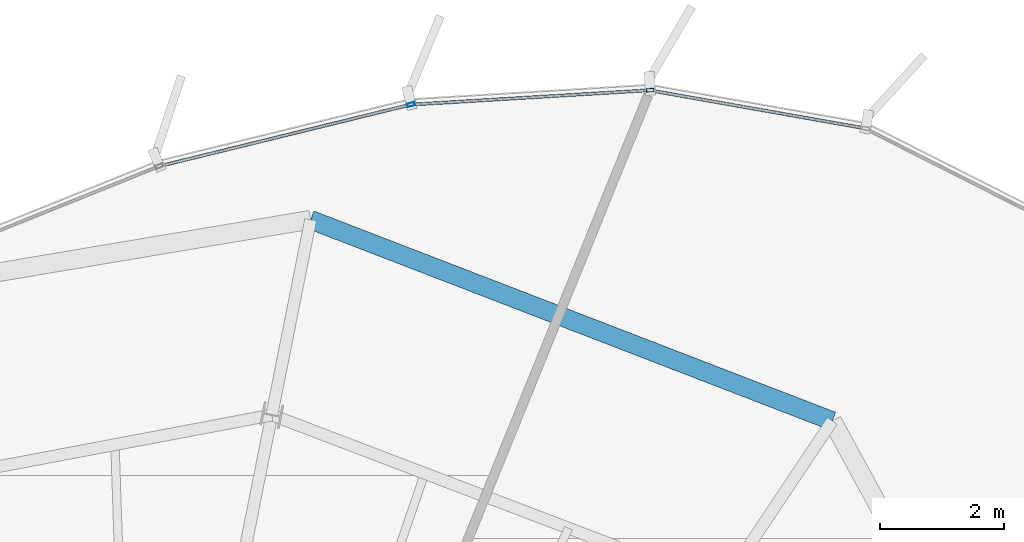
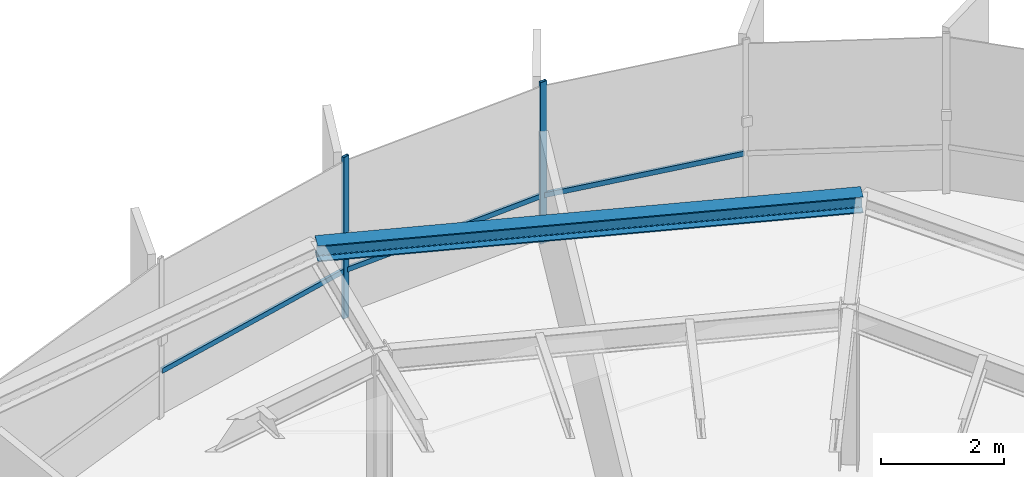
# One storey, part 22 of 32: 5 members, 1 beam, 1 element without a shape of its own.
"""IFC4 building model written with IfcOpenShell, lengths in metres."""

from ifc_helpers import new_model, si_unit, direction, frame, origin, origin_2d, place, context, subcontext, project, spatial, hollow_rectangle, i_section, extrude, source, transform, mapped, material, layer, layer_set, material_profile, profile_set, type_object, element, aggregate, save


model = new_model("IFC4")

# Units and contexts
model_context = context("Model", 3, precision=1e-05, world=origin(), true_north=direction((0.0, 1.0)))
body_context = subcontext(model_context, "Body", "Model", "MODEL_VIEW")
ifc_project = project(units=[si_unit("LENGTHUNIT", "METRE"), si_unit("AREAUNIT", "SQUARE_METRE"), si_unit("VOLUMEUNIT", "CUBIC_METRE"), si_unit("PLANEANGLEUNIT", "RADIAN"), si_unit("MASSUNIT", "GRAM", prefix="KILO"), si_unit("THERMODYNAMICTEMPERATUREUNIT", "KELVIN")], contexts=[model_context])

# Site, building, storey
site_placement = place(None, origin())
site = spatial("IfcSite", under=ifc_project, at=site_placement, CompositionType="ELEMENT")
building_placement = place(site_placement, origin())
building = spatial("IfcBuilding", under=site, at=building_placement, Name="Kethvar Cultural Tower", CompositionType="ELEMENT")
storey_placement = place(building_placement, frame((0.0, 0.0, 252.550048828125)))
storey = spatial("IfcBuildingStorey", under=building, at=storey_placement, Name="L66", CompositionType="ELEMENT", Elevation=252.550048828125)

# Beam
ifc_material_1 = material(Name="Steel S355J2", Category="steel")
ifc_material_profile_1 = material_profile(ifc_material_1, i_section(OverallWidth=0.300048828125, OverallDepth=0.320068359375, WebThickness=0.011474609375, FlangeThickness=0.0205078125, FilletRadius=0.027099609375, at=origin_2d()), Name="Steel S355J2 — HEB320")
ifc_profile_set_1 = profile_set([ifc_material_profile_1], Name="Steel S355J2 — HEB320")
beam_type = type_object("IfcBeamType", Name="BM-SP320", PredefinedType="SPANDREL", material=ifc_profile_set_1)
shared_shape_1 = source(origin(), body_context, "Body", "SweptSolid", [
    extrude(i_section(OverallWidth=0.300048828125, OverallDepth=0.320068359375, WebThickness=0.011474609375, FlangeThickness=0.0205078125, FilletRadius=0.027099609375, at=origin_2d()), origin(), (0.0, 0.0, 1.0), 8.98583984375),
])
beam_placement = place(storey_placement, frame((59.653076171875, 47.035888671875, 3.0478515625), z_axis=(-0.932983803051, 0.359918356359, 0.0), x_axis=(-0.359918356359, -0.932983803051, 0.0)))
element("IfcBeam", 1, at=beam_placement, inside=storey, type_object=beam_type, Name="L66 Perimeter Spandrel Beam SP-03", PredefinedType="SPANDREL", context=body_context, shape_type="MappedRepresentation", body=[
    mapped(shared_shape_1, transform((0.0, 0.0, 0.0), scale=1.0)),
])

# Curtain wall, members
ifc_material_2 = material(Name="Aluminium 6063-T6", Category="aluminium")
ifc_layer = layer(ifc_material_2, 0.179931640625, Name="Aluminium 6063-T6", Category="aluminium")
ifc_layer_set = layer_set([ifc_layer], Name="Aluminium 6063-T6 (180 mm)")
curtain_wall_type = type_object("IfcCurtainWallType", Name="CW-SYS-05-Z56", PredefinedType="NOTDEFINED", material=ifc_layer_set)
curtain_wall_placement = place(storey_placement, origin())
curtain_wall = element("IfcCurtainWall", 2, at=curtain_wall_placement, inside=storey, type_object=curtain_wall_type, Name="L66 Curtain Wall Run 01", PredefinedType="NOTDEFINED")
ifc_material_profile_2 = material_profile(ifc_material_2, hollow_rectangle(XDim=0.054931640625, YDim=0.1201171875, WallThickness=0.00390625, at=origin_2d()), Name="Aluminium 6063-T6 — RHS120x55x4")
ifc_profile_set_2 = profile_set([ifc_material_profile_2], Name="Aluminium 6063-T6 — RHS120x55x4")
member_type_1 = type_object("IfcMemberType", Name="CW-SYS-05-Z56-MUL", PredefinedType="MULLION", material=ifc_profile_set_2)
shared_shape_2 = source(origin(), body_context, "Body", "SweptSolid", [
    extrude(hollow_rectangle(XDim=0.054931640625, YDim=0.1201171875, WallThickness=0.00390625, at=origin_2d()), origin(), (0.0, 0.0, 1.0), 3.2099609375),
])
member_1_placement = place(storey_placement, frame((56.725830078125, 52.351806640625, 0.0), z_axis=(0.0, 0.0, 1.0), x_axis=(0.060177479469, -0.998187693254, 0.0)))
member_1 = element("IfcMember", 3, at=member_1_placement, type_object=member_type_1, Name="CW-L66-R01 Mullion 3", PredefinedType="MULLION", context=body_context, shape_type="MappedRepresentation", body=[
    mapped(shared_shape_2, transform((0.0, 0.0, 0.0), scale=1.0)),
])
member_2_placement = place(storey_placement, frame((52.8837890625, 52.121826171875, 0.0), z_axis=(0.0, 0.0, 1.0), x_axis=(0.237974084853, -0.971271504235, 0.0)))
member_2 = element("IfcMember", 4, at=member_2_placement, type_object=member_type_1, Name="CW-L66-R01 Mullion 4", PredefinedType="MULLION", context=body_context, shape_type="MappedRepresentation", body=[
    mapped(shared_shape_2, transform((0.0, 0.0, 0.0), scale=1.0)),
])
ifc_material_profile_3 = material_profile(ifc_material_2, hollow_rectangle(XDim=0.050048828125, YDim=0.10009765625, WallThickness=0.00390625, at=origin_2d()), Name="Aluminium 6063-T6 — RHS100x50x4")
ifc_profile_set_3 = profile_set([ifc_material_profile_3], Name="Aluminium 6063-T6 — RHS100x50x4")
member_type_2 = type_object("IfcMemberType", Name="CW-SYS-05-Z56-TRN", PredefinedType="USERDEFINED", material=ifc_profile_set_3)
shared_shape_3 = source(origin(), body_context, "Body", "SweptSolid", [
    extrude(hollow_rectangle(XDim=0.050048828125, YDim=0.10009765625, WallThickness=0.00390625, at=origin_2d()), origin(), (0.0, 0.0, 1.0), 3.78759765625),
])
member_3_placement = place(storey_placement, frame((56.686279296875, 52.349365234375, 0.949951171875), z_axis=(-0.998190017245, -0.060138918125, 0.0), x_axis=(0.060138918125, -0.998190017245, 0.0)))
member_3 = element("IfcMember", 5, at=member_3_placement, type_object=member_type_2, Name="CW-L66-R01 Transom 3", ObjectType="TRANSOM", PredefinedType="USERDEFINED", context=body_context, shape_type="MappedRepresentation", body=[
    mapped(shared_shape_3, transform((0.0, 0.0, 0.0), scale=1.0)),
])
shared_shape_4 = source(origin(), body_context, "Body", "SweptSolid", [
    extrude(hollow_rectangle(XDim=0.050048828125, YDim=0.10009765625, WallThickness=0.00390625, at=origin_2d()), origin(), (0.0, 0.0, 1.0), 3.461181640625),
])
member_4_placement = place(storey_placement, frame((60.14990234375, 51.744384765625, 0.949951171875), z_axis=(-0.984767932536, 0.173873859588, 0.0), x_axis=(-0.173873859588, -0.984767932536, 0.0)))
member_4 = element("IfcMember", 6, at=member_4_placement, type_object=member_type_2, Name="CW-L66-R01 Transom 2", ObjectType="TRANSOM", PredefinedType="USERDEFINED", context=body_context, shape_type="MappedRepresentation", body=[
    mapped(shared_shape_4, transform((0.0, 0.0, 0.0), scale=1.0)),
])
shared_shape_5 = source(origin(), body_context, "Body", "SweptSolid", [
    extrude(hollow_rectangle(XDim=0.050048828125, YDim=0.10009765625, WallThickness=0.00390625, at=origin_2d()), origin(), (0.0, 0.0, 1.0), 4.09912109375),
])
member_5_placement = place(storey_placement, frame((52.845458984375, 52.1123046875, 0.949951171875), z_axis=(-0.971266974943, -0.237992570019, 0.0), x_axis=(0.237992570019, -0.971266974943, 0.0)))
member_5 = element("IfcMember", 7, at=member_5_placement, type_object=member_type_2, Name="CW-L66-R01 Transom 4", ObjectType="TRANSOM", PredefinedType="USERDEFINED", context=body_context, shape_type="MappedRepresentation", body=[
    mapped(shared_shape_5, transform((0.0, 0.0, 0.0), scale=1.0)),
])
aggregate(curtain_wall, [member_1, member_2, member_4, member_3, member_5])

save(model, "model.ifc")
